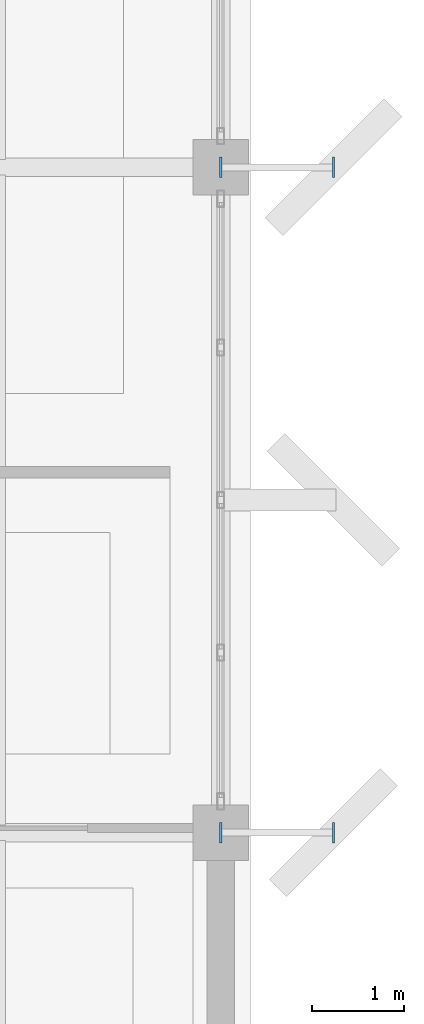
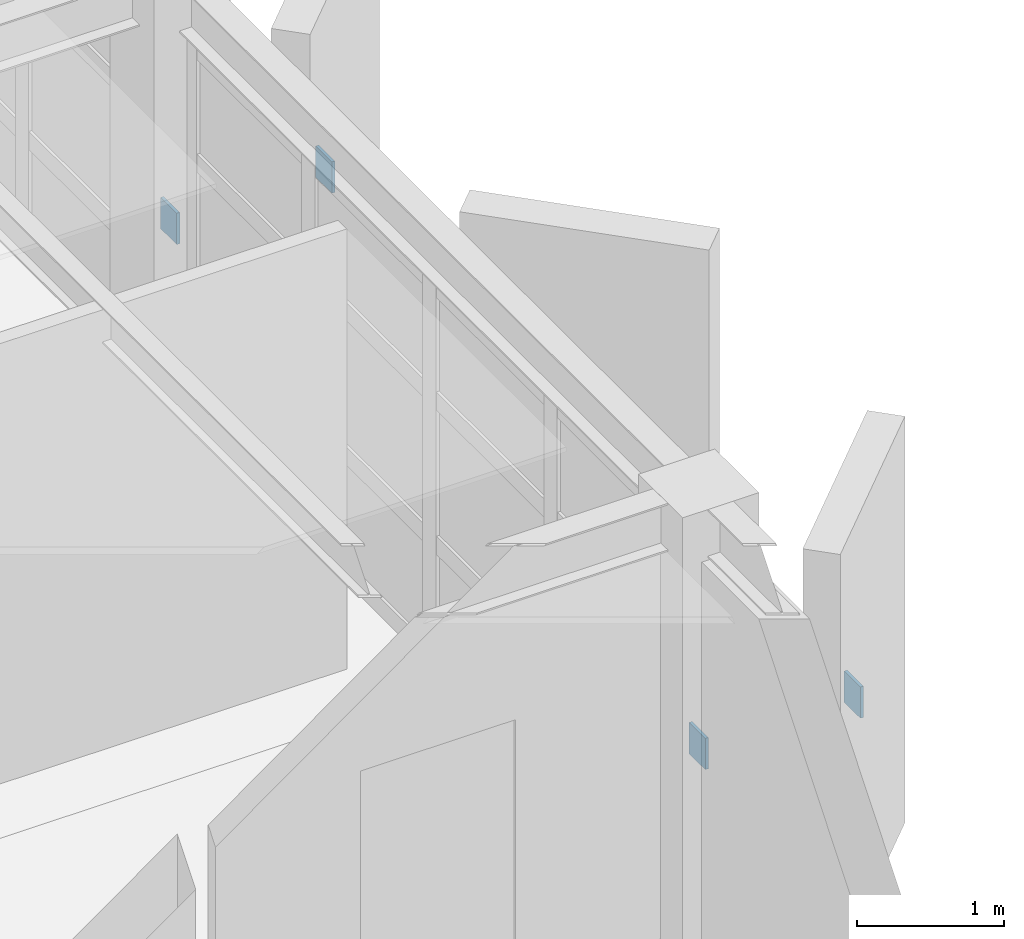
# One storey, part 14 of 15: 4 discrete accessories.
"""IFC4 building model written with IfcOpenShell, lengths in metres."""

from ifc_helpers import new_model, si_unit, direction, frame, origin, origin_2d, place, context, subcontext, project, spatial, rectangle, extrude, material, type_object, element, save


model = new_model("IFC4")

# Units and contexts
model_context = context("Model", 3, precision=1e-05, world=origin(), true_north=direction((0.0, 1.0)))
body_context = subcontext(model_context, "Body", "Model", "MODEL_VIEW")
ifc_project = project(units=[si_unit("LENGTHUNIT", "METRE"), si_unit("AREAUNIT", "SQUARE_METRE"), si_unit("VOLUMEUNIT", "CUBIC_METRE"), si_unit("PLANEANGLEUNIT", "RADIAN"), si_unit("MASSUNIT", "GRAM", prefix="KILO")], contexts=[model_context])

# Site, building, storey
site_placement = place(None, origin())
site = spatial("IfcSite", under=ifc_project, at=site_placement, CompositionType="ELEMENT")
building_placement = place(site_placement, origin())
building = spatial("IfcBuilding", under=site, at=building_placement, Name="Kandorven Conservatory and Botanical Research Centre", CompositionType="ELEMENT")
storey_placement = place(building_placement, frame((0.0, 0.0, 48.300048828125)))
storey = spatial("IfcBuildingStorey", under=building, at=storey_placement, Name="L12", CompositionType="ELEMENT", Elevation=48.300048828125)

# Discrete accessories
ifc_material = material(Name="Steel S355 (IS 2062 E350)", Category="steel")
discrete_accessory_type = type_object("IfcDiscreteAccessoryType", Name="SteelGussetPlate", PredefinedType="BRACKET", material=ifc_material)
for number, where, z_axis, x_axis, name in (
    (1, (34.800048828125, 13.199951171875, 1.3701171875), (0.0, 0.0, 1.0), (1.0, 0.0, 0.0), "Welded steel strut end-plate GUS-01 #105A"),
    (2, (36.02001953125, 13.199951171875, 1.3701171875), (0.0, 0.0, 1.0), (1.0, 0.0, 0.0), "Welded steel strut end-plate GUS-01 #105B"),
    (3, (34.800048828125, 20.39990234375, 1.3701171875), (0.0, 0.0, 1.0), (1.0, 0.0, 0.0), "Welded steel strut end-plate GUS-01 #107A"),
    (4, (36.02001953125, 20.39990234375, 1.3701171875), (0.0, 0.0, 1.0), (1.0, 0.0, 0.0), "Welded steel strut end-plate GUS-01 #107B"),
):
    element("IfcDiscreteAccessory", number, at=place(storey_placement, frame(where, z_axis=z_axis, x_axis=x_axis)), inside=storey, type_object=discrete_accessory_type, Name=name, PredefinedType="BRACKET", context=body_context, shape_type="SweptSolid", body=[
        extrude(rectangle(XDim=0.02392578125, YDim=0.219970703125, at=origin_2d()), origin(), (0.0, 0.0, 1.0), 0.260009765625),
    ])

save(model, "model.ifc")
